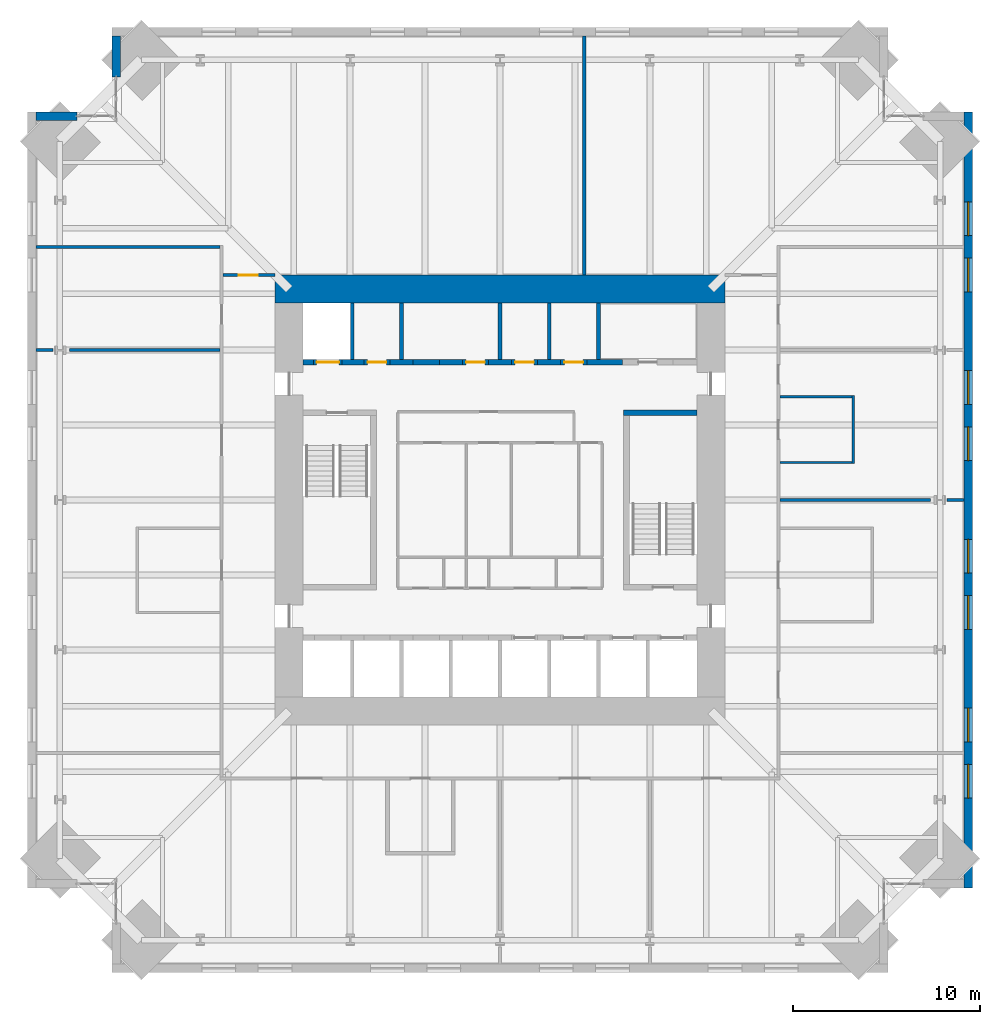
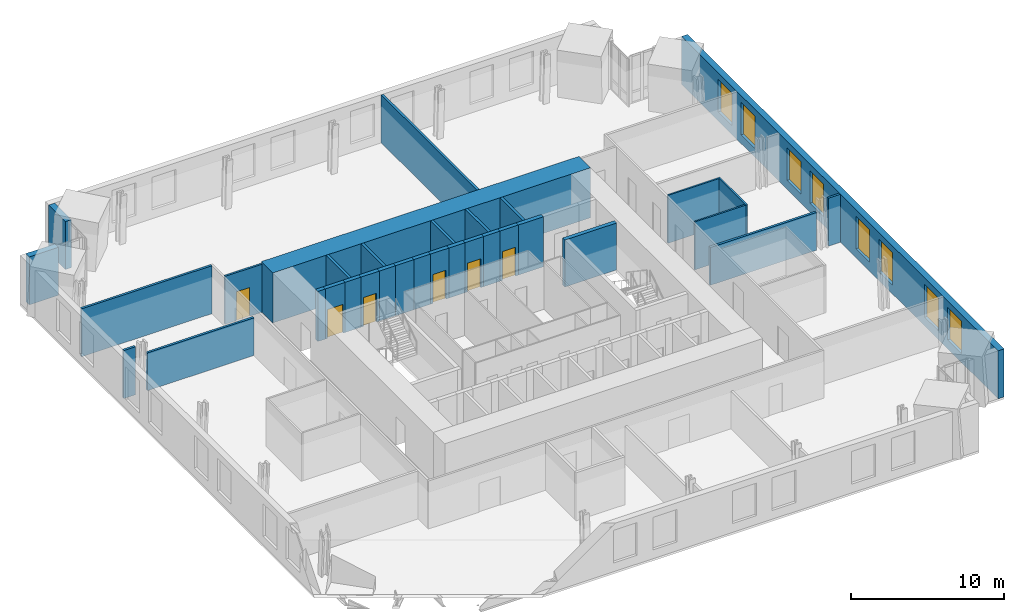
# One storey, part 13 of 15: 33 walls, 8 windows, 6 doors, 14 openings.
"""IFC4 building model written with IfcOpenShell, lengths in metres."""

from ifc_helpers import new_model, si_unit, direction, frame, frame_2d, origin, place, context, subcontext, project, spatial, rectangle, extrude, material, layer, layer_set, type_object, element, fill, save


model = new_model("IFC4")

# Units and contexts
model_context = context("Model", 3, precision=1e-05, world=origin(), true_north=direction((0.0, 1.0)))
body_context = subcontext(model_context, "Body", "Model", "MODEL_VIEW")
ifc_project = project(units=[si_unit("LENGTHUNIT", "METRE"), si_unit("AREAUNIT", "SQUARE_METRE"), si_unit("VOLUMEUNIT", "CUBIC_METRE"), si_unit("PLANEANGLEUNIT", "RADIAN"), si_unit("MASSUNIT", "GRAM", prefix="KILO")], contexts=[model_context])

# Site, building, storey
site_placement = place(None, origin())
site = spatial("IfcSite", under=ifc_project, at=site_placement, CompositionType="ELEMENT")
building_placement = place(site_placement, origin())
building = spatial("IfcBuilding", under=site, at=building_placement, Name="Peilmerk Tower", CompositionType="ELEMENT")
storey_placement = place(building_placement, frame((0.0, 0.0, 183.800048828125)))
storey = spatial("IfcBuildingStorey", under=building, at=storey_placement, Name="L39", CompositionType="ELEMENT", Elevation=183.800048828125)

# Wall, openings, windows
ifc_material_1 = material(Name="Precast concrete C45/55, board-marked finish", Category="concrete")
ifc_layer_1 = layer(ifc_material_1, 0.449951171875)
ifc_layer_set_1 = layer_set([ifc_layer_1], Name="Precast concrete C45/55, board-marked finish")
wall_type_1 = type_object("IfcWallType", Name="EW1 450 precast concrete facade wall, board-marked", PredefinedType="SOLIDWALL", material=ifc_layer_set_1)
wall_1_placement = place(storey_placement, frame((24.97509765625, -20.699951171875, 0.0), z_axis=(0.0, 0.0, 1.0), x_axis=(0.0, 1.0, 0.0)))
wall_1 = element("IfcWall", 1, at=wall_1_placement, inside=storey, type_object=wall_type_1, Name="Facade wall E L39", PredefinedType="SOLIDWALL", context=body_context, shape_type="SweptSolid", body=[
    extrude(rectangle(XDim=41.39990234375, YDim=0.449951171875, at=frame_2d((20.699951171875, 0.0))), origin(), (0.0, 0.0, 1.0), 3.829833984375),
])
opening_1_placement = place(wall_1_placement, frame((4.800048828125, 0.0, 0.699951171875)))
opening_1 = element("IfcOpeningElement", 2, at=opening_1_placement, cuts=wall_1, Name="Opening W1", PredefinedType="OPENING", context=body_context, shape_type="SweptSolid", body=[
    extrude(rectangle(XDim=1.800048828125, YDim=2.60009765625, at=frame_2d((0.89990234375, 1.300048828125))), frame((0.0, 0.23486328125, 0.0), z_axis=(0.0, -1.0, 0.0), x_axis=(1.0, 0.0, 0.0)), (0.0, 0.0, 1.0), 0.469970703125),
])
opening_2_placement = place(wall_1_placement, frame((7.800048828125, 0.0, 0.699951171875)))
opening_2 = element("IfcOpeningElement", 3, at=opening_2_placement, cuts=wall_1, Name="Opening W1", PredefinedType="OPENING", context=body_context, shape_type="SweptSolid", body=[
    extrude(rectangle(XDim=1.800048828125, YDim=2.60009765625, at=frame_2d((0.89990234375, 1.300048828125))), frame((0.0, 0.23486328125, 0.0), z_axis=(0.0, -1.0, 0.0), x_axis=(1.0, 0.0, 0.0)), (0.0, 0.0, 1.0), 0.469970703125),
])
opening_3_placement = place(wall_1_placement, frame((13.800048828125, 0.0, 0.699951171875)))
opening_3 = element("IfcOpeningElement", 4, at=opening_3_placement, cuts=wall_1, Name="Opening W1", PredefinedType="OPENING", context=body_context, shape_type="SweptSolid", body=[
    extrude(rectangle(XDim=1.800048828125, YDim=2.60009765625, at=frame_2d((0.89990234375, 1.300048828125))), frame((0.0, 0.23486328125, 0.0), z_axis=(0.0, -1.0, 0.0), x_axis=(1.0, 0.0, 0.0)), (0.0, 0.0, 1.0), 0.469970703125),
])
opening_4_placement = place(wall_1_placement, frame((16.800048828125, 0.0, 0.699951171875)))
opening_4 = element("IfcOpeningElement", 5, at=opening_4_placement, cuts=wall_1, Name="Opening W1", PredefinedType="OPENING", context=body_context, shape_type="SweptSolid", body=[
    extrude(rectangle(XDim=1.800048828125, YDim=2.60009765625, at=frame_2d((0.89990234375, 1.300048828125))), frame((0.0, 0.23486328125, 0.0), z_axis=(0.0, -1.0, 0.0), x_axis=(1.0, 0.0, 0.0)), (0.0, 0.0, 1.0), 0.469970703125),
])
opening_5_placement = place(wall_1_placement, frame((22.800048828125, 0.0, 0.699951171875)))
opening_5 = element("IfcOpeningElement", 6, at=opening_5_placement, cuts=wall_1, Name="Opening W1", PredefinedType="OPENING", context=body_context, shape_type="SweptSolid", body=[
    extrude(rectangle(XDim=1.800048828125, YDim=2.60009765625, at=frame_2d((0.89990234375, 1.300048828125))), frame((0.0, 0.23486328125, 0.0), z_axis=(0.0, -1.0, 0.0), x_axis=(1.0, 0.0, 0.0)), (0.0, 0.0, 1.0), 0.469970703125),
])
opening_6_placement = place(wall_1_placement, frame((25.800048828125, 0.0, 0.699951171875)))
opening_6 = element("IfcOpeningElement", 7, at=opening_6_placement, cuts=wall_1, Name="Opening W1", PredefinedType="OPENING", context=body_context, shape_type="SweptSolid", body=[
    extrude(rectangle(XDim=1.800048828125, YDim=2.60009765625, at=frame_2d((0.89990234375, 1.300048828125))), frame((0.0, 0.23486328125, 0.0), z_axis=(0.0, -1.0, 0.0), x_axis=(1.0, 0.0, 0.0)), (0.0, 0.0, 1.0), 0.469970703125),
])
opening_7_placement = place(wall_1_placement, frame((31.800048828125, 0.0, 0.699951171875)))
opening_7 = element("IfcOpeningElement", 8, at=opening_7_placement, cuts=wall_1, Name="Opening W1", PredefinedType="OPENING", context=body_context, shape_type="SweptSolid", body=[
    extrude(rectangle(XDim=1.800048828125, YDim=2.60009765625, at=frame_2d((0.89990234375, 1.300048828125))), frame((0.0, 0.23486328125, 0.0), z_axis=(0.0, -1.0, 0.0), x_axis=(1.0, 0.0, 0.0)), (0.0, 0.0, 1.0), 0.469970703125),
])
opening_8_placement = place(wall_1_placement, frame((34.800048828125, 0.0, 0.699951171875)))
opening_8 = element("IfcOpeningElement", 9, at=opening_8_placement, cuts=wall_1, Name="Opening W1", PredefinedType="OPENING", context=body_context, shape_type="SweptSolid", body=[
    extrude(rectangle(XDim=1.800048828125, YDim=2.60009765625, at=frame_2d((0.89990234375, 1.300048828125))), frame((0.0, 0.23486328125, 0.0), z_axis=(0.0, -1.0, 0.0), x_axis=(1.0, 0.0, 0.0)), (0.0, 0.0, 1.0), 0.469970703125),
])
ifc_material_2 = material(Name="Aluminium frame, clear double glazing", Category="aluminium")
window_type = type_object("IfcWindowType", Name="W1 1800x2600 office window", PartitioningType="SINGLE_PANEL", PredefinedType="WINDOW", material=ifc_material_2)
window_1_placement = place(opening_1_placement, origin())
window_1 = element("IfcWindow", 10, at=window_1_placement, inside=storey, type_object=window_type, Name="Window W1 L39", OverallHeight=2.60009765625, OverallWidth=1.800048828125, PartitioningType="SINGLE_PANEL", PredefinedType="WINDOW", context=body_context, shape_type="SweptSolid", body=[
    extrude(rectangle(XDim=1.800048828125, YDim=2.60009765625, at=frame_2d((0.89990234375, 1.300048828125))), frame((0.0, 0.030029296875, 0.0), z_axis=(0.0, -1.0, 0.0), x_axis=(1.0, 0.0, 0.0)), (0.0, 0.0, 1.0), 0.06005859375),
])
fill(opening_1, window_1)
window_2_placement = place(opening_2_placement, origin())
window_2 = element("IfcWindow", 11, at=window_2_placement, inside=storey, type_object=window_type, Name="Window W1 L39", OverallHeight=2.60009765625, OverallWidth=1.800048828125, PartitioningType="SINGLE_PANEL", PredefinedType="WINDOW", context=body_context, shape_type="SweptSolid", body=[
    extrude(rectangle(XDim=1.800048828125, YDim=2.60009765625, at=frame_2d((0.89990234375, 1.300048828125))), frame((0.0, 0.030029296875, 0.0), z_axis=(0.0, -1.0, 0.0), x_axis=(1.0, 0.0, 0.0)), (0.0, 0.0, 1.0), 0.06005859375),
])
fill(opening_2, window_2)
window_3_placement = place(opening_3_placement, origin())
window_3 = element("IfcWindow", 12, at=window_3_placement, inside=storey, type_object=window_type, Name="Window W1 L39", OverallHeight=2.60009765625, OverallWidth=1.800048828125, PartitioningType="SINGLE_PANEL", PredefinedType="WINDOW", context=body_context, shape_type="SweptSolid", body=[
    extrude(rectangle(XDim=1.800048828125, YDim=2.60009765625, at=frame_2d((0.89990234375, 1.300048828125))), frame((0.0, 0.030029296875, 0.0), z_axis=(0.0, -1.0, 0.0), x_axis=(1.0, 0.0, 0.0)), (0.0, 0.0, 1.0), 0.06005859375),
])
fill(opening_3, window_3)
window_4_placement = place(opening_4_placement, origin())
window_4 = element("IfcWindow", 13, at=window_4_placement, inside=storey, type_object=window_type, Name="Window W1 L39", OverallHeight=2.60009765625, OverallWidth=1.800048828125, PartitioningType="SINGLE_PANEL", PredefinedType="WINDOW", context=body_context, shape_type="SweptSolid", body=[
    extrude(rectangle(XDim=1.800048828125, YDim=2.60009765625, at=frame_2d((0.89990234375, 1.300048828125))), frame((0.0, 0.030029296875, 0.0), z_axis=(0.0, -1.0, 0.0), x_axis=(1.0, 0.0, 0.0)), (0.0, 0.0, 1.0), 0.06005859375),
])
fill(opening_4, window_4)
window_5_placement = place(opening_5_placement, origin())
window_5 = element("IfcWindow", 14, at=window_5_placement, inside=storey, type_object=window_type, Name="Window W1 L39", OverallHeight=2.60009765625, OverallWidth=1.800048828125, PartitioningType="SINGLE_PANEL", PredefinedType="WINDOW", context=body_context, shape_type="SweptSolid", body=[
    extrude(rectangle(XDim=1.800048828125, YDim=2.60009765625, at=frame_2d((0.89990234375, 1.300048828125))), frame((0.0, 0.030029296875, 0.0), z_axis=(0.0, -1.0, 0.0), x_axis=(1.0, 0.0, 0.0)), (0.0, 0.0, 1.0), 0.06005859375),
])
fill(opening_5, window_5)
window_6_placement = place(opening_6_placement, origin())
window_6 = element("IfcWindow", 15, at=window_6_placement, inside=storey, type_object=window_type, Name="Window W1 L39", OverallHeight=2.60009765625, OverallWidth=1.800048828125, PartitioningType="SINGLE_PANEL", PredefinedType="WINDOW", context=body_context, shape_type="SweptSolid", body=[
    extrude(rectangle(XDim=1.800048828125, YDim=2.60009765625, at=frame_2d((0.89990234375, 1.300048828125))), frame((0.0, 0.030029296875, 0.0), z_axis=(0.0, -1.0, 0.0), x_axis=(1.0, 0.0, 0.0)), (0.0, 0.0, 1.0), 0.06005859375),
])
fill(opening_6, window_6)
window_7_placement = place(opening_7_placement, origin())
window_7 = element("IfcWindow", 16, at=window_7_placement, inside=storey, type_object=window_type, Name="Window W1 L39", OverallHeight=2.60009765625, OverallWidth=1.800048828125, PartitioningType="SINGLE_PANEL", PredefinedType="WINDOW", context=body_context, shape_type="SweptSolid", body=[
    extrude(rectangle(XDim=1.800048828125, YDim=2.60009765625, at=frame_2d((0.89990234375, 1.300048828125))), frame((0.0, 0.030029296875, 0.0), z_axis=(0.0, -1.0, 0.0), x_axis=(1.0, 0.0, 0.0)), (0.0, 0.0, 1.0), 0.06005859375),
])
fill(opening_7, window_7)
window_8_placement = place(opening_8_placement, origin())
window_8 = element("IfcWindow", 17, at=window_8_placement, inside=storey, type_object=window_type, Name="Window W1 L39", OverallHeight=2.60009765625, OverallWidth=1.800048828125, PartitioningType="SINGLE_PANEL", PredefinedType="WINDOW", context=body_context, shape_type="SweptSolid", body=[
    extrude(rectangle(XDim=1.800048828125, YDim=2.60009765625, at=frame_2d((0.89990234375, 1.300048828125))), frame((0.0, 0.030029296875, 0.0), z_axis=(0.0, -1.0, 0.0), x_axis=(1.0, 0.0, 0.0)), (0.0, 0.0, 1.0), 0.06005859375),
])
fill(opening_8, window_8)

# Walls
for number, where, z_axis, x_axis, name in (
    (18, (-20.47509765625, 22.5537109375, 0.0), (0.0, 0.0, 1.0), (0.0, 1.0, 0.0), "Facade wall NWA L39"),
    (19, (-22.5537109375, 20.47509765625, 0.0), (0.0, 0.0, 1.0), (-1.0, 0.0, 0.0), "Facade wall NWB L39"),
):
    element("IfcWall", number, at=place(storey_placement, frame(where, z_axis=z_axis, x_axis=x_axis)), inside=storey, type_object=wall_type_1, Name=name, PredefinedType="SOLIDWALL", context=body_context, shape_type="SweptSolid", body=[
        extrude(rectangle(XDim=2.1962890625, YDim=0.449951171875, at=frame_2d((1.09814453125, 0.0))), origin(), (0.0, 0.0, 1.0), 3.829833984375),
    ])

# Wall, opening, door
ifc_material_3 = material(Name="Calcium silicate block", Category="masonry")
ifc_layer_2 = layer(ifc_material_3, 0.14990234375)
ifc_layer_set_2 = layer_set([ifc_layer_2], Name="Calcium silicate block")
wall_type_2 = type_object("IfcWallType", Name="IW1 150 corridor partition, EI 60", PredefinedType="PARTITIONING", material=ifc_layer_set_2)
wall_2_placement = place(storey_placement, frame((-14.77490234375, 12.0, 0.0), z_axis=(0.0, 0.0, 1.0), x_axis=(1.0, 0.0, 0.0)))
wall_2 = element("IfcWall", 20, at=wall_2_placement, inside=storey, type_object=wall_type_2, Name="Corridor wall NW L39", PredefinedType="PARTITIONING", context=body_context, shape_type="SweptSolid", body=[
    extrude(rectangle(XDim=2.77490234375, YDim=0.14990234375, at=frame_2d((1.387451171875, 0.0))), origin(), (0.0, 0.0, 1.0), 3.829833984375),
])
opening_9_placement = place(wall_2_placement, frame((0.85009765625, 0.0, 0.0)))
opening_9 = element("IfcOpeningElement", 21, at=opening_9_placement, cuts=wall_2, Name="Opening D1", PredefinedType="OPENING", context=body_context, shape_type="SweptSolid", body=[
    extrude(rectangle(XDim=1.0, YDim=2.300048828125, at=frame_2d((0.5, 1.14990234375))), frame((0.0, 0.0849609375, 0.0), z_axis=(0.0, -1.0, 0.0), x_axis=(1.0, 0.0, 0.0)), (0.0, 0.0, 1.0), 0.169921875),
])
ifc_material_4 = material(Name="Timber door in steel frame", Category="steel")
door_type_1 = type_object("IfcDoorType", Name="D1 1000x2300 room door, EI2 30", OperationType="SINGLE_SWING_LEFT", PredefinedType="DOOR", material=ifc_material_4)
door_1_placement = place(opening_9_placement, origin())
door_1 = element("IfcDoor", 22, at=door_1_placement, inside=storey, type_object=door_type_1, Name="Door Open workspace L39", OperationType="SINGLE_SWING_LEFT", OverallHeight=2.300048828125, OverallWidth=1.0, PredefinedType="DOOR", context=body_context, shape_type="SweptSolid", body=[
    extrude(rectangle(XDim=1.0, YDim=2.300048828125, at=frame_2d((0.5, 1.14990234375))), frame((0.0, 0.02490234375, 0.0), z_axis=(0.0, -1.0, 0.0), x_axis=(1.0, 0.0, 0.0)), (0.0, 0.0, 1.0), 0.050048828125),
])
fill(opening_9, door_1)

# Walls
ifc_material_5 = material(Name="Concrete C35/45", Category="concrete")
ifc_layer_3 = layer(ifc_material_5, 0.300048828125)
ifc_layer_set_3 = layer_set([ifc_layer_3], Name="Concrete C35/45")
wall_type_3 = type_object("IfcWallType", Name="IW3 300 concrete stair enclosure wall, EI 120", PredefinedType="SOLIDWALL", material=ifc_layer_set_3)
wall_3_placement = place(storey_placement, frame((6.60009765625, 4.64990234375, 0.0), z_axis=(0.0, 0.0, 1.0), x_axis=(1.0, 0.0, 0.0)))
element("IfcWall", 23, at=wall_3_placement, inside=storey, type_object=wall_type_3, Name="Stair 2 enclosure L39", PredefinedType="SOLIDWALL", context=body_context, shape_type="SweptSolid", body=[
    extrude(rectangle(XDim=3.89990234375, YDim=0.300048828125, at=frame_2d((1.949951171875, 0.0))), origin(), (0.0, 0.0, 1.0), 3.75),
])
ifc_material_6 = material(Name="Plasterboard on steel studs, double boarded with mineral wool", Category="steel")
ifc_layer_4 = layer(ifc_material_6, 0.125)
ifc_layer_set_4 = layer_set([ifc_layer_4], Name="Plasterboard on steel studs, double boarded with mineral wool")
wall_type_4 = type_object("IfcWallType", Name="IW7 125 acoustic partition, EI 30", PredefinedType="PARTITIONING", material=ifc_layer_set_4)
wall_4_placement = place(storey_placement, frame((18.85009765625, 1.9375, 0.0), z_axis=(0.0, 0.0, 1.0), x_axis=(0.0, 1.0, 0.0)))
element("IfcWall", 24, at=wall_4_placement, inside=storey, type_object=wall_type_4, Name="Acoustic partition Pantry L39", PredefinedType="PARTITIONING", context=body_context, shape_type="SweptSolid", body=[
    extrude(rectangle(XDim=3.625, YDim=0.125, at=frame_2d((1.8125, 0.0))), origin(), (0.0, 0.0, 1.0), 3.829833984375),
])
for number, where, z_axis, x_axis, name in (
    (25, (14.925048828125, 2.0, 0.0), (0.0, 0.0, 1.0), (1.0, 0.0, 0.0), "Acoustic partition Pantry L39"),
    (26, (14.925048828125, 5.5, 0.0), (0.0, 0.0, 1.0), (1.0, 0.0, 0.0), "Acoustic partition Pantry L39"),
):
    element("IfcWall", number, at=place(storey_placement, frame(where, z_axis=z_axis, x_axis=x_axis)), inside=storey, type_object=wall_type_4, Name=name, PredefinedType="PARTITIONING", context=body_context, shape_type="SweptSolid", body=[
        extrude(rectangle(XDim=3.862548828125, YDim=0.125, at=frame_2d((1.93115234375, 0.0))), origin(), (0.0, 0.0, 1.0), 3.829833984375),
    ])
ifc_layer_5 = layer(ifc_material_3, 0.175048828125)
ifc_layer_set_5 = layer_set([ifc_layer_5], Name="Calcium silicate block")
wall_type_5 = type_object("IfcWallType", Name="IW8 175 tenant separating wall, EI 60", PredefinedType="PARTITIONING", material=ifc_layer_set_5)
wall_5_placement = place(storey_placement, frame((-24.75, 13.5, 0.0), z_axis=(0.0, 0.0, 1.0), x_axis=(1.0, 0.0, 0.0)))
element("IfcWall", 27, at=wall_5_placement, inside=storey, type_object=wall_type_5, Name="Tenant separating wall NW L39", PredefinedType="PARTITIONING", context=body_context, shape_type="SweptSolid", body=[
    extrude(rectangle(XDim=9.824951171875, YDim=0.175048828125, at=frame_2d((4.91259765625, 0.0))), origin(), (0.0, 0.0, 1.0), 3.829833984375),
])
wall_6_placement = place(storey_placement, frame((4.5, 12.0, 0.0), z_axis=(0.0, 0.0, 1.0), x_axis=(0.0, 1.0, 0.0)))
element("IfcWall", 28, at=wall_6_placement, inside=storey, type_object=wall_type_5, Name="Tenant separating wall N1 L39", PredefinedType="PARTITIONING", context=body_context, shape_type="SweptSolid", body=[
    extrude(rectangle(XDim=12.75, YDim=0.175048828125, at=frame_2d((6.375, 0.0))), origin(), (0.0, 0.0, 1.0), 3.829833984375),
])
wall_7_placement = place(storey_placement, frame((14.925048828125, 0.0, 0.0), z_axis=(0.0, 0.0, 1.0), x_axis=(1.0, 0.0, 0.0)))
element("IfcWall", 29, at=wall_7_placement, inside=storey, type_object=wall_type_5, Name="Tenant separating wall E1 L39", PredefinedType="PARTITIONING", context=body_context, shape_type="SweptSolid", body=[
    extrude(rectangle(XDim=8.03515625, YDim=0.175048828125, at=frame_2d((4.017578125, 0.0))), origin(), (0.0, 0.0, 1.0), 3.015869140625),
])
wall_8_placement = place(storey_placement, frame((23.849365234375, 0.0, 0.0), z_axis=(0.0, 0.0, 1.0), x_axis=(1.0, 0.0, 0.0)))
element("IfcWall", 30, at=wall_8_placement, inside=storey, type_object=wall_type_5, Name="Tenant separating wall E1b L39", PredefinedType="PARTITIONING", context=body_context, shape_type="SweptSolid", body=[
    extrude(rectangle(XDim=0.900634765625, YDim=0.175048828125, at=frame_2d((0.4501953125, 0.0))), origin(), (0.0, 0.0, 1.0), 3.829833984375),
])
wall_9_placement = place(storey_placement, frame((-14.925048828125, 8.0, 0.0), z_axis=(0.0, 0.0, 1.0), x_axis=(-1.0, 0.0, 0.0)))
element("IfcWall", 31, at=wall_9_placement, inside=storey, type_object=wall_type_5, Name="Tenant separating wall W1 L39", PredefinedType="PARTITIONING", context=body_context, shape_type="SweptSolid", body=[
    extrude(rectangle(XDim=8.03515625, YDim=0.175048828125, at=frame_2d((4.017578125, 0.0))), origin(), (0.0, 0.0, 1.0), 3.015869140625),
])
wall_10_placement = place(storey_placement, frame((-23.849365234375, 8.0, 0.0), z_axis=(0.0, 0.0, 1.0), x_axis=(-1.0, 0.0, 0.0)))
element("IfcWall", 32, at=wall_10_placement, inside=storey, type_object=wall_type_5, Name="Tenant separating wall W1b L39", PredefinedType="PARTITIONING", context=body_context, shape_type="SweptSolid", body=[
    extrude(rectangle(XDim=0.900634765625, YDim=0.175048828125, at=frame_2d((0.4501953125, 0.0))), origin(), (0.0, 0.0, 1.0), 3.829833984375),
])
ifc_layer_6 = layer(ifc_material_3, 0.199951171875)
ifc_layer_set_6 = layer_set([ifc_layer_6], Name="Calcium silicate block")
wall_type_6 = type_object("IfcWallType", Name="SH1 200 shaft dividing wall, EI 120", PredefinedType="PARTITIONING", material=ifc_layer_set_6)
for number, where, z_axis, x_axis, name in (
    (33, (-7.875, 7.5, 0.0), (0.0, 0.0, 1.0), (0.0, 1.0, 0.0), "Shaft wall N FL1 L39"),
    (34, (-5.25, 7.5, 0.0), (0.0, 0.0, 1.0), (0.0, 1.0, 0.0), "Shaft wall N A1 L39"),
    (35, (0.0, 7.5, 0.0), (0.0, 0.0, 1.0), (0.0, 1.0, 0.0), "Shaft wall N A3 L39"),
    (36, (2.625, 7.5, 0.0), (0.0, 0.0, 1.0), (0.0, 1.0, 0.0), "Shaft wall N S1 L39"),
    (37, (5.25, 7.5, 0.0), (0.0, 0.0, 1.0), (0.0, 1.0, 0.0), "Shaft wall N S2 L39"),
):
    element("IfcWall", number, at=place(storey_placement, frame(where, z_axis=z_axis, x_axis=x_axis)), inside=storey, type_object=wall_type_6, Name=name, PredefinedType="PARTITIONING", context=body_context, shape_type="SweptSolid", body=[
        extrude(rectangle(XDim=3.0, YDim=0.199951171875, at=frame_2d((1.5, 0.0))), origin(), (0.0, 0.0, 1.0), 4.0),
    ])

# Wall, opening, door
ifc_layer_7 = layer(ifc_material_3, 0.300048828125)
ifc_layer_set_7 = layer_set([ifc_layer_7], Name="Calcium silicate block")
wall_type_7 = type_object("IfcWallType", Name="SH2 300 lift landing door panel, EI 120", PredefinedType="PARTITIONING", material=ifc_layer_set_7)
wall_11_placement = place(storey_placement, frame((-9.9375, 7.35009765625, 0.0), z_axis=(0.0, 0.0, 1.0), x_axis=(1.0, 0.0, 0.0)))
wall_11 = element("IfcWall", 38, at=wall_11_placement, inside=storey, type_object=wall_type_7, Name="Lift door panel N FL1 L39", PredefinedType="PARTITIONING", context=body_context, shape_type="SweptSolid", body=[
    extrude(rectangle(XDim=1.5, YDim=0.300048828125, at=frame_2d((0.75, 0.0))), origin(), (0.0, 0.0, 1.0), 4.0),
])
opening_10_placement = place(wall_11_placement, frame((0.14990234375, 0.0, 0.0)))
opening_10 = element("IfcOpeningElement", 39, at=opening_10_placement, cuts=wall_11, Name="Opening LD2", PredefinedType="OPENING", context=body_context, shape_type="SweptSolid", body=[
    extrude(rectangle(XDim=1.199951171875, YDim=2.300048828125, at=frame_2d((0.60009765625, 1.14990234375))), frame((0.0, 0.159912109375, 0.0), z_axis=(0.0, -1.0, 0.0), x_axis=(1.0, 0.0, 0.0)), (0.0, 0.0, 1.0), 0.320068359375),
])
ifc_material_7 = material(Name="Stainless steel landing door", Category="steel")
door_type_2 = type_object("IfcDoorType", Name="LD2 1200x2300 lift landing door, sliding, EI2 60", OperationType="SLIDING_TO_LEFT", PredefinedType="DOOR", material=ifc_material_7)
door_2_placement = place(opening_10_placement, frame((1.199951171875, 0.0, 0.0), z_axis=(0.0, 0.0, 1.0), x_axis=(-1.0, 0.0, 0.0)))
door_2 = element("IfcDoor", 40, at=door_2_placement, inside=storey, type_object=door_type_2, Name="Lift landing door FL1 L39", OperationType="SLIDING_TO_LEFT", OverallHeight=2.300048828125, OverallWidth=1.199951171875, PredefinedType="DOOR", context=body_context, shape_type="SweptSolid", body=[
    extrude(rectangle(XDim=1.199951171875, YDim=2.300048828125, at=frame_2d((0.60009765625, 1.14990234375))), frame((0.0, 0.02490234375, 0.0), z_axis=(0.0, -1.0, 0.0), x_axis=(1.0, 0.0, 0.0)), (0.0, 0.0, 1.0), 0.050048828125),
])
fill(opening_10, door_2)

wall_12_placement = place(storey_placement, frame((-7.262451171875, 7.35009765625, 0.0), z_axis=(0.0, 0.0, 1.0), x_axis=(1.0, 0.0, 0.0)))
wall_12 = element("IfcWall", 41, at=wall_12_placement, inside=storey, type_object=wall_type_7, Name="Lift door panel N A1 L39", PredefinedType="PARTITIONING", context=body_context, shape_type="SweptSolid", body=[
    extrude(rectangle(XDim=1.39990234375, YDim=0.300048828125, at=frame_2d((0.699951171875, 0.0))), origin(), (0.0, 0.0, 1.0), 4.0),
])
opening_11_placement = place(wall_12_placement, frame((0.199951171875, 0.0, 0.0)))
opening_11 = element("IfcOpeningElement", 42, at=opening_11_placement, cuts=wall_12, Name="Opening D10", PredefinedType="OPENING", context=body_context, shape_type="SweptSolid", body=[
    extrude(rectangle(XDim=1.0, YDim=2.300048828125, at=frame_2d((0.5, 1.14990234375))), frame((0.0, 0.159912109375, 0.0), z_axis=(0.0, -1.0, 0.0), x_axis=(1.0, 0.0, 0.0)), (0.0, 0.0, 1.0), 0.320068359375),
])
ifc_material_8 = material(Name="Steel door in steel frame", Category="steel")
door_type_3 = type_object("IfcDoorType", Name="D10 1000x2300 core room door, EI2 60", OperationType="SINGLE_SWING_RIGHT", PredefinedType="DOOR", material=ifc_material_8)
door_3_placement = place(opening_11_placement, origin())
door_3 = element("IfcDoor", 43, at=door_3_placement, inside=storey, type_object=door_type_3, Name="Door Electrical room L39", OperationType="SINGLE_SWING_RIGHT", OverallHeight=2.300048828125, OverallWidth=1.0, PredefinedType="DOOR", context=body_context, shape_type="SweptSolid", body=[
    extrude(rectangle(XDim=1.0, YDim=2.300048828125, at=frame_2d((0.5, 1.14990234375))), frame((0.0, 0.02490234375, 0.0), z_axis=(0.0, -1.0, 0.0), x_axis=(1.0, 0.0, 0.0)), (0.0, 0.0, 1.0), 0.050048828125),
])
fill(opening_11, door_3)

# Wall
wall_13_placement = place(storey_placement, frame((-4.637451171875, 7.35009765625, 0.0), z_axis=(0.0, 0.0, 1.0), x_axis=(1.0, 0.0, 0.0)))
element("IfcWall", 44, at=wall_13_placement, inside=storey, type_object=wall_type_7, Name="Lift door panel N A2 L39", PredefinedType="PARTITIONING", context=body_context, shape_type="SweptSolid", body=[
    extrude(rectangle(XDim=1.39990234375, YDim=0.300048828125, at=frame_2d((0.699951171875, 0.0))), origin(), (0.0, 0.0, 1.0), 4.0),
])

# Wall, opening, door
wall_14_placement = place(storey_placement, frame((-2.012451171875, 7.35009765625, 0.0), z_axis=(0.0, 0.0, 1.0), x_axis=(1.0, 0.0, 0.0)))
wall_14 = element("IfcWall", 45, at=wall_14_placement, inside=storey, type_object=wall_type_7, Name="Lift door panel N A3 L39", PredefinedType="PARTITIONING", context=body_context, shape_type="SweptSolid", body=[
    extrude(rectangle(XDim=1.39990234375, YDim=0.300048828125, at=frame_2d((0.699951171875, 0.0))), origin(), (0.0, 0.0, 1.0), 4.0),
])
opening_12_placement = place(wall_14_placement, frame((0.199951171875, 0.0, 0.0)))
opening_12 = element("IfcOpeningElement", 46, at=opening_12_placement, cuts=wall_14, Name="Opening D10", PredefinedType="OPENING", context=body_context, shape_type="SweptSolid", body=[
    extrude(rectangle(XDim=1.0, YDim=2.300048828125, at=frame_2d((0.5, 1.14990234375))), frame((0.0, 0.159912109375, 0.0), z_axis=(0.0, -1.0, 0.0), x_axis=(1.0, 0.0, 0.0)), (0.0, 0.0, 1.0), 0.320068359375),
])
door_4_placement = place(opening_12_placement, origin())
door_4 = element("IfcDoor", 47, at=door_4_placement, inside=storey, type_object=door_type_3, Name="Door Vending room L39", OperationType="SINGLE_SWING_RIGHT", OverallHeight=2.300048828125, OverallWidth=1.0, PredefinedType="DOOR", context=body_context, shape_type="SweptSolid", body=[
    extrude(rectangle(XDim=1.0, YDim=2.300048828125, at=frame_2d((0.5, 1.14990234375))), frame((0.0, 0.02490234375, 0.0), z_axis=(0.0, -1.0, 0.0), x_axis=(1.0, 0.0, 0.0)), (0.0, 0.0, 1.0), 0.050048828125),
])
fill(opening_12, door_4)

wall_15_placement = place(storey_placement, frame((0.612548828125, 7.35009765625, 0.0), z_axis=(0.0, 0.0, 1.0), x_axis=(1.0, 0.0, 0.0)))
wall_15 = element("IfcWall", 48, at=wall_15_placement, inside=storey, type_object=wall_type_7, Name="Lift door panel N S1 L39", PredefinedType="PARTITIONING", context=body_context, shape_type="SweptSolid", body=[
    extrude(rectangle(XDim=1.39990234375, YDim=0.300048828125, at=frame_2d((0.699951171875, 0.0))), origin(), (0.0, 0.0, 1.0), 4.0),
])
opening_13_placement = place(wall_15_placement, frame((0.199951171875, 0.0, 0.0)))
opening_13 = element("IfcOpeningElement", 49, at=opening_13_placement, cuts=wall_15, Name="Opening D10", PredefinedType="OPENING", context=body_context, shape_type="SweptSolid", body=[
    extrude(rectangle(XDim=1.0, YDim=2.300048828125, at=frame_2d((0.5, 1.14990234375))), frame((0.0, 0.159912109375, 0.0), z_axis=(0.0, -1.0, 0.0), x_axis=(1.0, 0.0, 0.0)), (0.0, 0.0, 1.0), 0.320068359375),
])
door_5_placement = place(opening_13_placement, origin())
door_5 = element("IfcDoor", 50, at=door_5_placement, inside=storey, type_object=door_type_3, Name="Door Staff WC L39", OperationType="SINGLE_SWING_RIGHT", OverallHeight=2.300048828125, OverallWidth=1.0, PredefinedType="DOOR", context=body_context, shape_type="SweptSolid", body=[
    extrude(rectangle(XDim=1.0, YDim=2.300048828125, at=frame_2d((0.5, 1.14990234375))), frame((0.0, 0.02490234375, 0.0), z_axis=(0.0, -1.0, 0.0), x_axis=(1.0, 0.0, 0.0)), (0.0, 0.0, 1.0), 0.050048828125),
])
fill(opening_13, door_5)

wall_16_placement = place(storey_placement, frame((3.237548828125, 7.35009765625, 0.0), z_axis=(0.0, 0.0, 1.0), x_axis=(1.0, 0.0, 0.0)))
wall_16 = element("IfcWall", 51, at=wall_16_placement, inside=storey, type_object=wall_type_7, Name="Lift door panel N S2 L39", PredefinedType="PARTITIONING", context=body_context, shape_type="SweptSolid", body=[
    extrude(rectangle(XDim=1.39990234375, YDim=0.300048828125, at=frame_2d((0.699951171875, 0.0))), origin(), (0.0, 0.0, 1.0), 4.0),
])
opening_14_placement = place(wall_16_placement, frame((0.199951171875, 0.0, 0.0)))
opening_14 = element("IfcOpeningElement", 52, at=opening_14_placement, cuts=wall_16, Name="Opening D10", PredefinedType="OPENING", context=body_context, shape_type="SweptSolid", body=[
    extrude(rectangle(XDim=1.0, YDim=2.300048828125, at=frame_2d((0.5, 1.14990234375))), frame((0.0, 0.159912109375, 0.0), z_axis=(0.0, -1.0, 0.0), x_axis=(1.0, 0.0, 0.0)), (0.0, 0.0, 1.0), 0.320068359375),
])
door_6_placement = place(opening_14_placement, origin())
door_6 = element("IfcDoor", 53, at=door_6_placement, inside=storey, type_object=door_type_3, Name="Door IT room L39", OperationType="SINGLE_SWING_RIGHT", OverallHeight=2.300048828125, OverallWidth=1.0, PredefinedType="DOOR", context=body_context, shape_type="SweptSolid", body=[
    extrude(rectangle(XDim=1.0, YDim=2.300048828125, at=frame_2d((0.5, 1.14990234375))), frame((0.0, 0.02490234375, 0.0), z_axis=(0.0, -1.0, 0.0), x_axis=(1.0, 0.0, 0.0)), (0.0, 0.0, 1.0), 0.050048828125),
])
fill(opening_14, door_6)

# Walls
ifc_material_9 = material(Name="Concrete C55/67", Category="concrete")
ifc_layer_8 = layer(ifc_material_9, 1.5)
ifc_layer_set_8 = layer_set([ifc_layer_8], Name="Concrete C55/67")
wall_type_8 = type_object("IfcWallType", Name="SW1 1500 core wall", PredefinedType="SHEAR", material=ifc_layer_set_8)
wall_17_placement = place(storey_placement, frame((-12.0, 11.25, 0.0), z_axis=(0.0, 0.0, 1.0), x_axis=(1.0, 0.0, 0.0)))
element("IfcWall", 54, at=wall_17_placement, inside=storey, type_object=wall_type_8, Name="Core wall N L39", PredefinedType="SHEAR", context=body_context, shape_type="SweptSolid", body=[
    extrude(rectangle(XDim=24.0, YDim=1.5, at=frame_2d((12.0, 0.0))), origin(), (0.0, 0.0, 1.0), 4.0),
])
ifc_layer_9 = layer(ifc_material_9, 0.300048828125)
ifc_layer_set_9 = layer_set([ifc_layer_9], Name="Concrete C55/67")
wall_type_9 = type_object("IfcWallType", Name="SW2 300 lift bank pier", PredefinedType="SHEAR", material=ifc_layer_set_9)
wall_18_placement = place(storey_placement, frame((-10.5, 7.35009765625, 0.0), z_axis=(0.0, 0.0, 1.0), x_axis=(1.0, 0.0, 0.0)))
element("IfcWall", 55, at=wall_18_placement, inside=storey, type_object=wall_type_9, Name="Lift bank pier N L39", PredefinedType="SHEAR", context=body_context, shape_type="SweptSolid", body=[
    extrude(rectangle(XDim=0.5625, YDim=0.300048828125, at=frame_2d((0.28125, 0.0))), origin(), (0.0, 0.0, 1.0), 4.0),
])
wall_19_placement = place(storey_placement, frame((-8.4375, 7.35009765625, 0.0), z_axis=(0.0, 0.0, 1.0), x_axis=(1.0, 0.0, 0.0)))
element("IfcWall", 56, at=wall_19_placement, inside=storey, type_object=wall_type_9, Name="Lift bank pier N L39", PredefinedType="SHEAR", context=body_context, shape_type="SweptSolid", body=[
    extrude(rectangle(XDim=1.175048828125, YDim=0.300048828125, at=frame_2d((0.58740234375, 0.0))), origin(), (0.0, 0.0, 1.0), 4.0),
])
for number, where, z_axis, x_axis, name in (
    (57, (-5.862548828125, 7.35009765625, 0.0), (0.0, 0.0, 1.0), (1.0, 0.0, 0.0), "Lift bank pier N L39"),
    (58, (-3.237548828125, 7.35009765625, 0.0), (0.0, 0.0, 1.0), (1.0, 0.0, 0.0), "Lift bank pier N L39"),
    (59, (-0.612548828125, 7.35009765625, 0.0), (0.0, 0.0, 1.0), (1.0, 0.0, 0.0), "Lift bank pier N L39"),
    (60, (2.012451171875, 7.35009765625, 0.0), (0.0, 0.0, 1.0), (1.0, 0.0, 0.0), "Lift bank pier N L39"),
):
    element("IfcWall", number, at=place(storey_placement, frame(where, z_axis=z_axis, x_axis=x_axis)), inside=storey, type_object=wall_type_9, Name=name, PredefinedType="SHEAR", context=body_context, shape_type="SweptSolid", body=[
        extrude(rectangle(XDim=1.22509765625, YDim=0.300048828125, at=frame_2d((0.612548828125, 0.0))), origin(), (0.0, 0.0, 1.0), 4.0),
    ])
wall_20_placement = place(storey_placement, frame((4.637451171875, 7.35009765625, 0.0), z_axis=(0.0, 0.0, 1.0), x_axis=(1.0, 0.0, 0.0)))
element("IfcWall", 61, at=wall_20_placement, inside=storey, type_object=wall_type_9, Name="Lift bank pier N L39", PredefinedType="SHEAR", context=body_context, shape_type="SweptSolid", body=[
    extrude(rectangle(XDim=1.887451171875, YDim=0.300048828125, at=frame_2d((0.94384765625, 0.0))), origin(), (0.0, 0.0, 1.0), 4.0),
])

save(model, "model.ifc")
